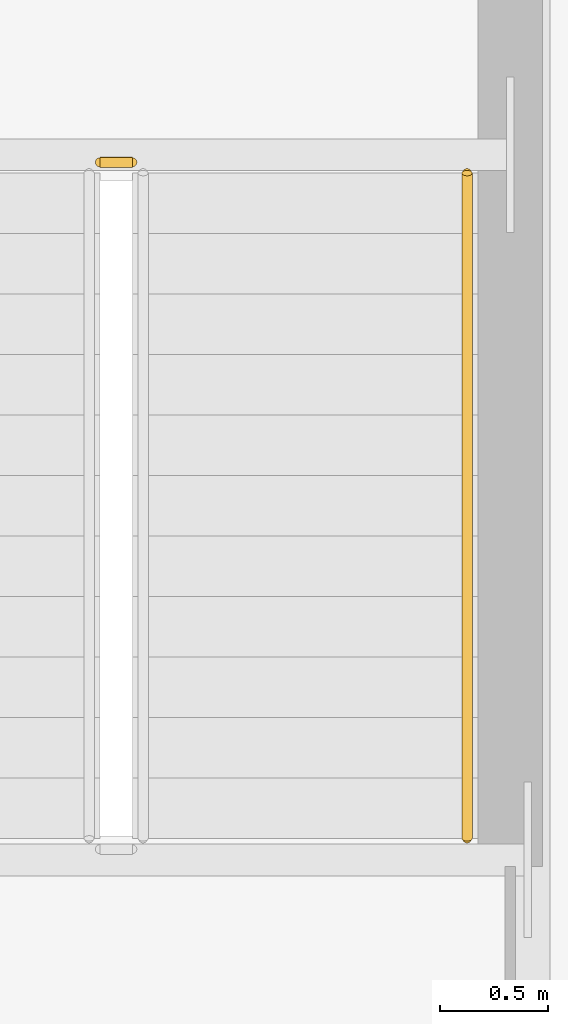
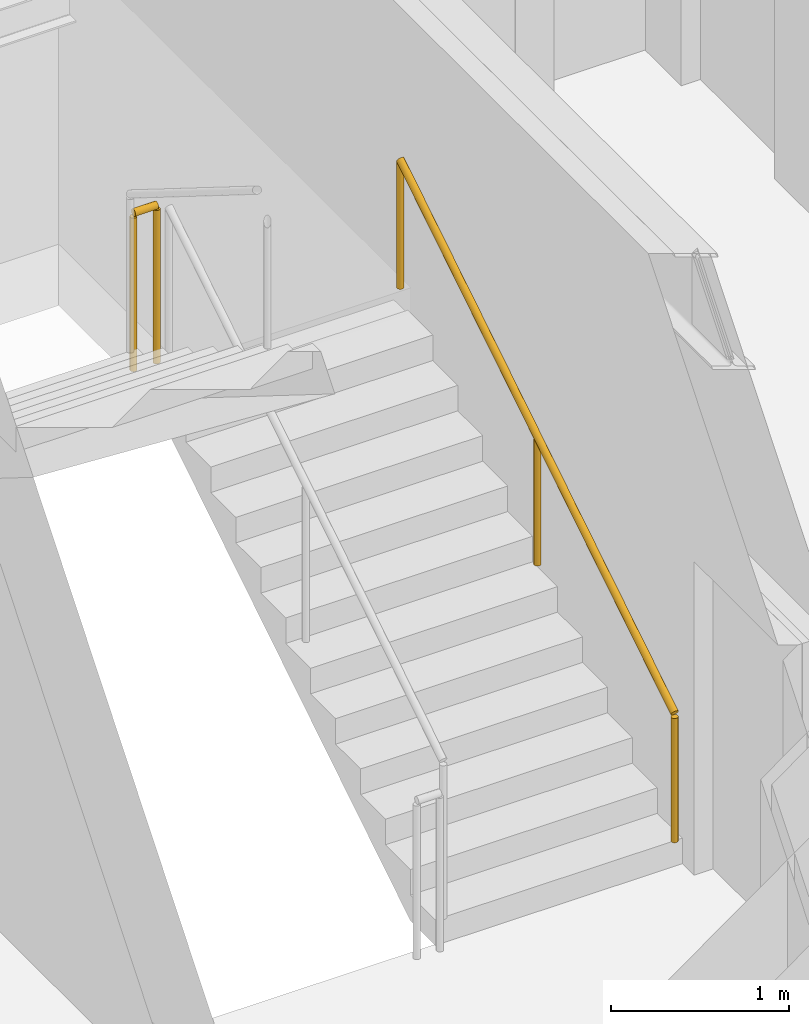
# One storey, part 9 of 10: 2 railings.
"""IFC4 building model written with IfcOpenShell, lengths in metres."""

from ifc_helpers import new_model, si_unit, direction, frame, origin, origin_2d, place, context, subcontext, project, spatial, circle, extrude, material, type_object, element, save


model = new_model("IFC4")

# Units and contexts
model_context = context("Model", 3, precision=1e-05, world=origin(), true_north=direction((0.0, 1.0)))
body_context = subcontext(model_context, "Body", "Model", "MODEL_VIEW")
ifc_project = project(units=[si_unit("LENGTHUNIT", "METRE"), si_unit("AREAUNIT", "SQUARE_METRE"), si_unit("VOLUMEUNIT", "CUBIC_METRE"), si_unit("PLANEANGLEUNIT", "RADIAN"), si_unit("MASSUNIT", "GRAM", prefix="KILO")], contexts=[model_context])

# Site, building, storey
site_placement = place(None, origin())
site = spatial("IfcSite", under=ifc_project, at=site_placement, CompositionType="ELEMENT")
building_placement = place(site_placement, origin())
building = spatial("IfcBuilding", under=site, at=building_placement, Name="Khamvora Tower", CompositionType="ELEMENT")
storey_placement = place(building_placement, frame((0.0, 0.0, 294.64990234375)))
storey = spatial("IfcBuildingStorey", under=building, at=storey_placement, Name="L75", CompositionType="ELEMENT", Elevation=294.64990234375)

# Railings
ifc_material_1 = material(Name="Brushed Stainless Steel 316", Category="steel")
railing_type_1 = type_object("IfcRailingType", Name="RAL-HDR-920", PredefinedType="HANDRAIL", material=ifc_material_1)
railing_1_placement = place(storey_placement, frame((32.449951171875, 29.85009765625, 0.175048828125)))
element("IfcRailing", 1, at=railing_1_placement, inside=storey, type_object=railing_type_1, Name="L75 ST-02 stair handrail 1", PredefinedType="HANDRAIL", context=body_context, shape_type="SweptSolid", body=[
    extrude(circle(Radius=0.02392578125, at=origin_2d()), frame((0.0, 0.0, 0.8759765625), z_axis=(0.0, 0.847979421464, 0.530029150871), x_axis=(-1.0, 0.0, 0.0)), (0.0, 0.0, 1.0), 3.632080078125),
    extrude(circle(Radius=0.02099609375, at=origin_2d()), origin(), (0.0, 0.0, 1.0), 0.851806640625),
    extrude(circle(Radius=0.02099609375, at=origin_2d()), frame((0.0, 1.5400390625, 0.96240234375)), (0.0, 0.0, 1.0), 0.851806640625),
    extrude(circle(Radius=0.02099609375, at=origin_2d()), frame((0.0, 3.079833984375, 1.925048828125)), (0.0, 0.0, 1.0), 0.851806640625),
])
ifc_material_2 = material(Name="Stainless Steel 316", Category="steel")
railing_type_2 = type_object("IfcRailingType", Name="RAL-STG-1100", PredefinedType="GUARDRAIL", material=ifc_material_2)
railing_2_placement = place(storey_placement, frame((30.89990234375, 32.97998046875, 2.10009765625)))
element("IfcRailing", 2, at=railing_2_placement, inside=storey, type_object=railing_type_2, Name="L75 ST-02 stair guard 2", PredefinedType="GUARDRAIL", context=body_context, shape_type="SweptSolid", body=[
    extrude(circle(Radius=0.02392578125, at=origin_2d()), frame((0.0, 0.0, 1.076171875), z_axis=(-1.0, 0.0, 0.0), x_axis=(0.0, -1.0, 0.0)), (0.0, 0.0, 1.0), 0.14990234375),
    extrude(circle(Radius=0.02099609375, at=origin_2d()), origin(), (0.0, 0.0, 1.0), 1.052001953125),
    extrude(circle(Radius=0.02099609375, at=origin_2d()), frame((-0.14990234375, 0.0, 0.0)), (0.0, 0.0, 1.0), 1.052001953125),
])

save(model, "model.ifc")
